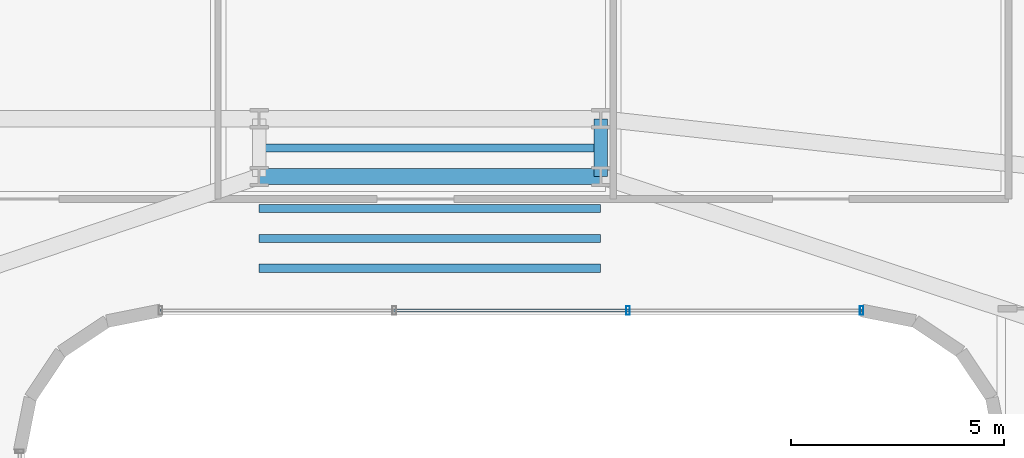
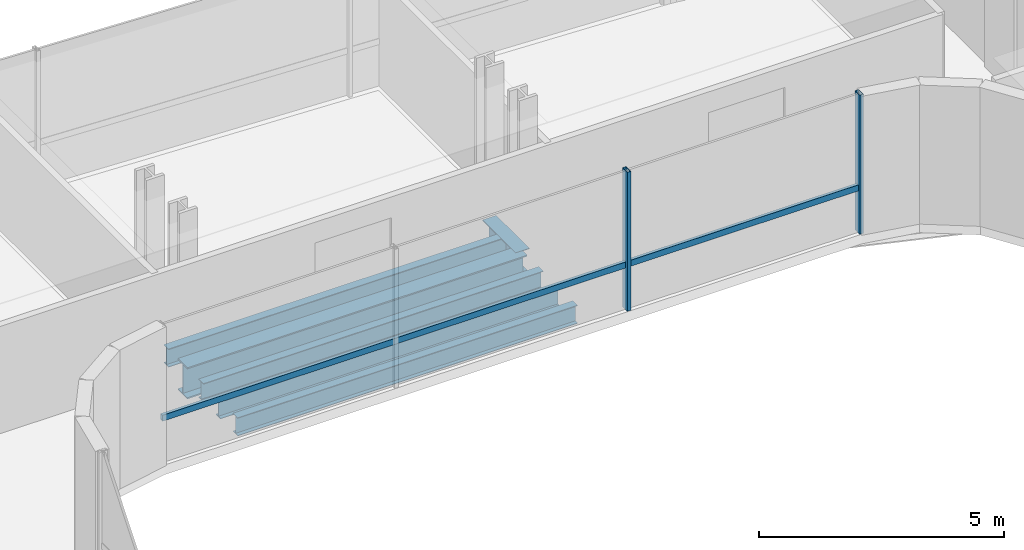
# One storey, part 14 of 35: 6 beams, 3 members, 1 element without a shape of its own.
"""IFC4 building model written with IfcOpenShell, lengths in metres."""

from ifc_helpers import new_model, si_unit, direction, frame, origin, origin_2d, place, context, subcontext, project, spatial, hollow_rectangle, i_section, extrude, source, transform, mapped, material, material_profile, profile_set, type_object, element, aggregate, save


model = new_model("IFC4")

# Units and contexts
model_context = context("Model", 3, precision=1e-05, world=origin(), true_north=direction((0.0, 1.0)))
body_context = subcontext(model_context, "Body", "Model", "MODEL_VIEW")
ifc_project = project(units=[si_unit("LENGTHUNIT", "METRE"), si_unit("AREAUNIT", "SQUARE_METRE"), si_unit("VOLUMEUNIT", "CUBIC_METRE"), si_unit("PLANEANGLEUNIT", "RADIAN"), si_unit("MASSUNIT", "GRAM", prefix="KILO")], contexts=[model_context])

# Site, building, storey
site_placement = place(None, origin())
site = spatial("IfcSite", under=ifc_project, at=site_placement, CompositionType="ELEMENT")
building_placement = place(site_placement, origin())
building = spatial("IfcBuilding", under=site, at=building_placement, Name="Valdorenza Pilgrim Sanctuary Tower", CompositionType="ELEMENT")
storey_placement = place(building_placement, frame((0.0, 0.0, 139.0)))
storey = spatial("IfcBuildingStorey", under=building, at=storey_placement, Name="L35", CompositionType="ELEMENT", Elevation=139.0)

# Beams
ifc_material_1 = material(Name="Steel ASTM A992 Grade 50", Category="steel")
ifc_material_profile_1 = material_profile(ifc_material_1, i_section(OverallWidth=0.323974609375, OverallDepth=0.611083984375, WebThickness=0.0126953125, FlangeThickness=0.01904296875, at=origin_2d()), Name="W24X104")
ifc_profile_set_1 = profile_set([ifc_material_profile_1], Name="Steel ASTM A992 Grade 50")
beam_type_1 = type_object("IfcBeamType", Name="STR-BM-GRD-W24B", PredefinedType="BEAM", material=ifc_profile_set_1)
shared_shape_1 = source(origin(), body_context, "Body", "SweptSolid", [
    extrude(i_section(OverallWidth=0.323974609375, OverallDepth=0.611083984375, WebThickness=0.0126953125, FlangeThickness=0.01904296875, at=origin_2d()), origin(), (0.0, 0.0, 1.0), 1.35009765625),
])
beam_1_placement = place(storey_placement, frame((4.0, 13.449951171875, -0.54541015625), z_axis=(0.0, 1.0, 0.0), x_axis=(-1.0, 0.0, 0.0)))
element("IfcBeam", 1, at=beam_1_placement, inside=storey, type_object=beam_type_1, Name="L35 Floor Girder KNK-TIE-E", PredefinedType="BEAM", context=body_context, shape_type="MappedRepresentation", body=[
    mapped(shared_shape_1, transform((0.0, 0.0, 0.0), x_axis=(1.0, 0.0, 0.0), y_axis=(0.0, 1.0, 0.0), z_axis=(0.0, 0.0, 1.0), scale=1.0)),
])
ifc_material_profile_2 = material_profile(ifc_material_1, i_section(OverallWidth=0.382080078125, OverallDepth=0.779052734375, WebThickness=0.01806640625, FlangeThickness=0.030029296875, at=origin_2d()), Name="W30X191")
ifc_profile_set_2 = profile_set([ifc_material_profile_2], Name="Steel ASTM A992 Grade 50")
beam_type_2 = type_object("IfcBeamType", Name="STR-BM-GRD-W30", PredefinedType="BEAM", material=ifc_profile_set_2)
shared_shape_2 = source(origin(), body_context, "Body", "SweptSolid", [
    extrude(i_section(OverallWidth=0.382080078125, OverallDepth=0.779052734375, WebThickness=0.01806640625, FlangeThickness=0.030029296875, at=origin_2d()), origin(), (0.0, 0.0, 1.0), 8.0),
])
beam_2_placement = place(storey_placement, frame((-4.0, 13.449951171875, -0.62939453125), z_axis=(1.0, 0.0, 0.0), x_axis=(0.0, 1.0, 0.0)))
element("IfcBeam", 2, at=beam_2_placement, inside=storey, type_object=beam_type_2, Name="L35 Floor Girder KNK-G2", PredefinedType="BEAM", context=body_context, shape_type="MappedRepresentation", body=[
    mapped(shared_shape_2, transform((0.0, 0.0, 0.0), x_axis=(1.0, 0.0, 0.0), y_axis=(0.0, 1.0, 0.0), z_axis=(0.0, 0.0, 1.0), scale=1.0)),
])
ifc_material_profile_3 = material_profile(ifc_material_1, i_section(OverallWidth=0.19091796875, OverallDepth=0.45703125, WebThickness=0.009033203125, FlangeThickness=0.014404296875, at=origin_2d()), Name="W18X50")
ifc_profile_set_3 = profile_set([ifc_material_profile_3], Name="Steel ASTM A992 Grade 50")
beam_type_3 = type_object("IfcBeamType", Name="STR-BM-JST-W18B", PredefinedType="JOIST", material=ifc_profile_set_3)
shared_shape_3 = source(origin(), body_context, "Body", "SweptSolid", [
    extrude(i_section(OverallWidth=0.19091796875, OverallDepth=0.45703125, WebThickness=0.009033203125, FlangeThickness=0.014404296875, at=origin_2d()), origin(), (0.0, 0.0, 1.0), 8.0),
])
for number, where, z_axis, x_axis, name in (
    (3, (-4.0, 11.300048828125, -0.468505859375), (1.0, 0.0, 0.0), (0.0, 1.0, 0.0), "L35 Knuckle Composite Joist JST-KNK-1"),
    (4, (-4.0, 12.0, -0.468505859375), (1.0, 0.0, 0.0), (0.0, 1.0, 0.0), "L35 Knuckle Composite Joist JST-KNK-2"),
    (5, (-4.0, 12.699951171875, -0.468505859375), (1.0, 0.0, 0.0), (0.0, 1.0, 0.0), "L35 Knuckle Composite Joist JST-KNK-3"),
    (6, (-4.0, 14.1201171875, -0.468505859375), (1.0, 0.0, 0.0), (0.0, 1.0, 0.0), "L35 Knuckle Composite Joist JST-KNK-4"),
):
    element("IfcBeam", number, at=place(storey_placement, frame(where, z_axis=z_axis, x_axis=x_axis)), inside=storey, type_object=beam_type_3, Name=name, PredefinedType="JOIST", context=body_context, shape_type="MappedRepresentation", body=[
        mapped(shared_shape_3, transform((0.0, 0.0, 0.0), x_axis=(1.0, 0.0, 0.0), y_axis=(0.0, 1.0, 0.0), z_axis=(0.0, 0.0, 1.0), scale=1.0)),
    ])

# Curtain wall, members
ifc_material_2 = material(Name="Curtain-wall IGU glazing", Category="glass")
curtain_wall_type = type_object("IfcCurtainWallType", Name="CW-SYS-02", PredefinedType="NOTDEFINED", material=ifc_material_2)
curtain_wall_placement = place(storey_placement, origin())
curtain_wall = element("IfcCurtainWall", 7, at=curtain_wall_placement, inside=storey, type_object=curtain_wall_type, Name="L35 Curtain Wall CW-L35-1-36", PredefinedType="NOTDEFINED")
ifc_material_3 = material(Name="Anodised aluminium AW-6060", Category="aluminium")
ifc_material_profile_4 = material_profile(ifc_material_3, hollow_rectangle(XDim=0.0849609375, YDim=0.199951171875, WallThickness=0.0048828125, at=origin_2d()), Name="ALU-M 200x85x5")
ifc_profile_set_4 = profile_set([ifc_material_profile_4], Name="Anodised aluminium AW-6060")
member_type_1 = type_object("IfcMemberType", Name="CW-MUL-02", PredefinedType="MULLION", material=ifc_profile_set_4)
shared_shape_4 = source(origin(), body_context, "Body", "SweptSolid", [
    extrude(hollow_rectangle(XDim=0.0849609375, YDim=0.199951171875, WallThickness=0.0048828125, at=origin_2d()), origin(), (0.0, 0.0, 1.0), 3.4599609375),
])
member_1_placement = place(storey_placement, frame((10.11083984375, 10.31005859375, 0.0), z_axis=(0.0, 0.0, 1.0), x_axis=(-1.0, 0.0, 0.0)))
member_1 = element("IfcMember", 8, at=member_1_placement, type_object=member_type_1, Name="CW-L35-1-36 Mullion 1", PredefinedType="MULLION", context=body_context, shape_type="MappedRepresentation", body=[
    mapped(shared_shape_4, transform((0.0, 0.0, 0.0), x_axis=(1.0, 0.0, 0.0), y_axis=(0.0, 1.0, 0.0), z_axis=(0.0, 0.0, 1.0), scale=1.0)),
])
member_2_placement = place(storey_placement, frame((4.636962890625, 10.31005859375, 0.0), z_axis=(0.0, 0.0, 1.0), x_axis=(-1.0, 0.0, 0.0)))
member_2 = element("IfcMember", 9, at=member_2_placement, type_object=member_type_1, Name="CW-L35-1-36 Mullion 2", PredefinedType="MULLION", context=body_context, shape_type="MappedRepresentation", body=[
    mapped(shared_shape_4, transform((0.0, 0.0, 0.0), x_axis=(1.0, 0.0, 0.0), y_axis=(0.0, 1.0, 0.0), z_axis=(0.0, 0.0, 1.0), scale=1.0)),
])
ifc_material_profile_5 = material_profile(ifc_material_3, hollow_rectangle(XDim=0.074951171875, YDim=0.14990234375, WallThickness=0.00390625, at=origin_2d()), Name="ALU-T 150x75x4")
ifc_profile_set_5 = profile_set([ifc_material_profile_5], Name="Anodised aluminium AW-6060")
member_type_2 = type_object("IfcMemberType", Name="CW-TRN-02", PredefinedType="USERDEFINED", material=ifc_profile_set_5)
shared_shape_5 = source(origin(), body_context, "Body", "SweptSolid", [
    extrude(hollow_rectangle(XDim=0.074951171875, YDim=0.14990234375, WallThickness=0.00390625, at=origin_2d()), origin(), (0.0, 0.0, 1.0), 16.421630859375),
])
member_3_placement = place(storey_placement, frame((10.11083984375, 10.31005859375, 1.1201171875), z_axis=(-1.0, 0.0, 0.0), x_axis=(0.0, -1.0, 0.0)))
member_3 = element("IfcMember", 10, at=member_3_placement, type_object=member_type_2, Name="CW-L35-1-36 Transom 1", ObjectType="TRANSOM", PredefinedType="USERDEFINED", context=body_context, shape_type="MappedRepresentation", body=[
    mapped(shared_shape_5, transform((0.0, 0.0, 0.0), x_axis=(1.0, 0.0, 0.0), y_axis=(0.0, 1.0, 0.0), z_axis=(0.0, 0.0, 1.0), scale=1.0)),
])
aggregate(curtain_wall, [member_1, member_2, member_3])

save(model, "model.ifc")
